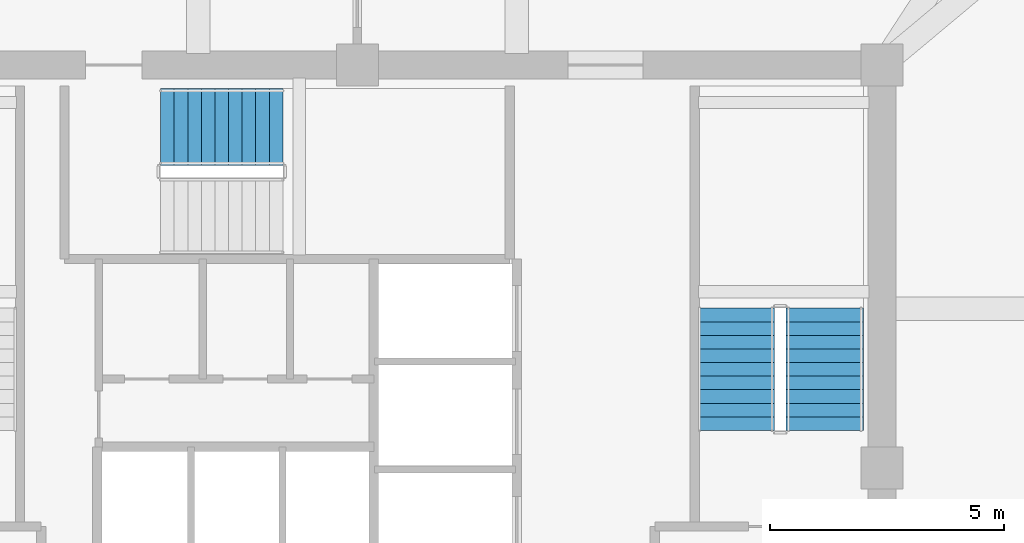
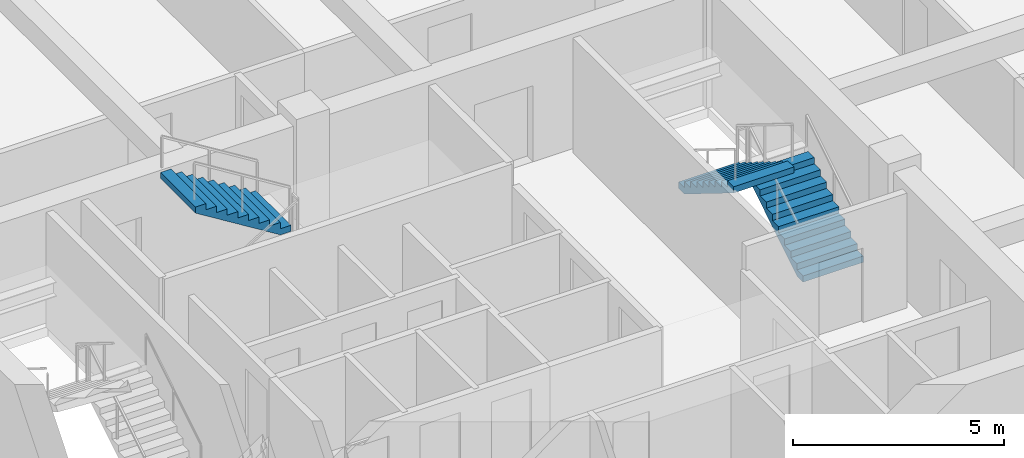
# One storey, part 11 of 13: 3 stair flights, 2 elements without a shape of their own.
"""IFC4 building model written with IfcOpenShell, lengths in metres."""

import ifcopenshell
import ifcopenshell.guid

model = None  # the IFC model being written
_history = None  # IfcOwnerHistory: only IFC2X3 demands one
_inside = {}  # id of a spatial element -> (the spatial element, [elements in it])
_under = {}  # id of a project, library or spatial element -> (it, [spatial elements below it])
_declared = {}  # id of a project -> (the project, [libraries it declares])
_typed = {}  # id of a type object -> (the type object, [elements of that type])
_made_of = {}  # id of a material, layer set ... -> (it, [elements and type objects made of it])


def new_model(schema):
    """Start an empty IFC model of exactly this schema.

    Asked for "IFC4X3", IfcOpenShell would pick the latest addendum, in which some entities
    have other attributes; the version numbers below select the first issue.
    IFC2X3 requires an IfcOwnerHistory on every rooted entity: one is made here for all.
    """
    global model, _history
    if schema == "IFC4X3":
        model = ifcopenshell.file(schema_version=(4, 3, 0, 0))
    else:
        model = ifcopenshell.file(schema=schema)
    _inside.clear()
    _under.clear()
    _declared.clear()
    _typed.clear()
    _made_of.clear()
    _history = None
    if model.schema == "IFC2X3":
        org = make("IfcOrganization", Name="unknown")
        user = make(
            "IfcPersonAndOrganization",
            ThePerson=make("IfcPerson", FamilyName="unknown"),
            TheOrganization=org,
        )
        app = make(
            "IfcApplication",
            ApplicationDeveloper=org,
            Version="unknown",
            ApplicationFullName="unknown",
            ApplicationIdentifier="unknown",
        )
        _history = make(
            "IfcOwnerHistory",
            OwningUser=user,
            OwningApplication=app,
            ChangeAction="ADDED",
            CreationDate=0,
        )
    return model


def make(cls, **values):
    """One entity of the class cls with the attributes given. An attribute that is None is left unset."""
    return model.create_entity(
        cls, **{name: value for name, value in values.items() if value is not None}
    )


def rooted(cls, **values):
    """An entity with a GlobalId (a new one), such as an element, a storey or a relation."""
    return make(cls, GlobalId=ifcopenshell.guid.new(), OwnerHistory=_history, **values)


def si_unit(unit_type, name, prefix=None):
    """IfcSIUnit, for example si_unit("LENGTHUNIT", "METRE", prefix="MILLI")."""
    return make("IfcSIUnit", UnitType=unit_type, Prefix=prefix, Name=name)


def derived_unit(unit_type, elements):
    """IfcDerivedUnit: a product of units, each with its exponent."""
    return make(
        "IfcDerivedUnit",
        Elements=[
            make("IfcDerivedUnitElement", Unit=unit, Exponent=power)
            for unit, power in elements
        ],
        UnitType=unit_type,
    )


def assignment(units):
    """IfcUnitAssignment: the units of a project."""
    return None if units is None else make("IfcUnitAssignment", Units=units)


def point(xyz):
    """IfcCartesianPoint."""
    return None if xyz is None else make("IfcCartesianPoint", Coordinates=xyz)


def direction(xyz):
    """IfcDirection."""
    return None if xyz is None else make("IfcDirection", DirectionRatios=xyz)


def frame(location, z_axis=None, x_axis=None):
    """IfcAxis2Placement3D, a coordinate frame: its origin and axes. An axis left out is left unset."""
    return make(
        "IfcAxis2Placement3D",
        Location=point(location),
        Axis=direction(z_axis),
        RefDirection=direction(x_axis),
    )


def origin():
    """The frame at (0, 0, 0) with its axes left unset."""
    return frame((0.0, 0.0, 0.0))


def place(relative_to, where):
    """IfcLocalPlacement: puts the frame where relative to a parent placement (None: the world)."""
    return make(
        "IfcLocalPlacement", PlacementRelTo=relative_to, RelativePlacement=where
    )


def context(
    kind, dimensions, precision=None, world=None, true_north=None, identifier=None
):
    """IfcGeometricRepresentationContext, for example the 3D "Model" context."""
    return make(
        "IfcGeometricRepresentationContext",
        ContextIdentifier=identifier,
        ContextType=kind,
        CoordinateSpaceDimension=dimensions,
        Precision=precision,
        WorldCoordinateSystem=world,
        TrueNorth=true_north,
    )


def subcontext(parent, identifier, kind, view, scale=None):
    """IfcGeometricRepresentationSubContext, for example "Body" below "Model"."""
    return make(
        "IfcGeometricRepresentationSubContext",
        ContextIdentifier=identifier,
        ContextType=kind,
        ParentContext=parent,
        TargetScale=scale,
        TargetView=view,
    )


def project(units=None, contexts=None):
    """IfcProject with its units and contexts."""
    return rooted(
        "IfcProject",
        Name="project",
        RepresentationContexts=contexts,
        UnitsInContext=assignment(units),
    )


def spatial(cls, under=None, at=None, **own):
    """A site, building, storey or space (cls), placed at a placement, below another one or the project."""
    s = rooted(cls, ObjectPlacement=at, **own)
    if under is not None:
        _under.setdefault(under.id(), (under, []))[1].append(s)
    return s


def polyline(points):
    """IfcPolyline through the points."""
    return make("IfcPolyline", Points=[point(p) for p in points])


def outline(outer, holes=None, kind="AREA"):
    """IfcArbitraryClosedProfileDef: a profile drawn as a closed curve; with holes, ...WithVoids."""
    if holes is None:
        return make("IfcArbitraryClosedProfileDef", ProfileType=kind, OuterCurve=outer)
    return make(
        "IfcArbitraryProfileDefWithVoids",
        ProfileType=kind,
        OuterCurve=outer,
        InnerCurves=holes,
    )


def extrude(swept, where, along, depth):
    """IfcExtrudedAreaSolid: the profile swept, set in the frame where, extruded along a direction by depth."""
    return make(
        "IfcExtrudedAreaSolid",
        SweptArea=swept,
        Position=where,
        ExtrudedDirection=direction(along),
        Depth=depth,
    )


def shape(context_of_items, identifier, shape_type, items):
    """IfcShapeRepresentation: the items that make up one representation, for example the "Body"."""
    return make(
        "IfcShapeRepresentation",
        ContextOfItems=context_of_items,
        RepresentationIdentifier=identifier,
        RepresentationType=shape_type,
        Items=items,
    )


def material(Name=None, Category=None):
    """IfcMaterial."""
    return make("IfcMaterial", Name=Name, Category=Category)


def made_of(thing, what):
    """Note that an element or type object is made of a material, layer set ...; save() writes the relation."""
    if what is not None:
        _made_of.setdefault(what.id(), (what, []))[1].append(thing)
    return thing


def type_object(cls, material=None, **own):
    """A type object (cls), such as IfcWallType, which elements share."""
    return made_of(rooted(cls, **own), material)


def element(
    cls,
    number,
    at=None,
    inside=None,
    cuts=None,
    type_object=None,
    material=None,
    context=None,
    identifier="Body",
    shape_type=None,
    held_by="IfcProductDefinitionShape",
    body=None,
    shapes=None,
    **own,
):
    """One element of the class cls, such as IfcWall. Its Tag is "e" and its number.

    at: its placement. inside: the storey or other place that contains it. cuts: it is an
    opening in that element (IfcRelVoidsElement). A single representation is given by context,
    identifier, shape_type and body (its items); several are given by shapes. held_by: the class
    of the entity that holds the representations. save() writes the other relations.
    """
    e = rooted(cls, Tag="e%d" % number, ObjectPlacement=at, **own)
    if body is not None:
        shapes = [shape(context, identifier, shape_type, body)]
    if shapes is not None:
        e.Representation = make(held_by, Representations=shapes)
    if inside is not None:
        _inside.setdefault(inside.id(), (inside, []))[1].append(e)
    if cuts is not None:
        rooted(
            "IfcRelVoidsElement", RelatingBuildingElement=cuts, RelatedOpeningElement=e
        )
    if type_object is not None:
        _typed.setdefault(type_object.id(), (type_object, []))[1].append(e)
    return made_of(e, material)


def aggregate(whole, parts):
    """IfcRelAggregates: a whole, such as a stair, and the parts it consists of."""
    return rooted("IfcRelAggregates", RelatingObject=whole, RelatedObjects=parts)


def save(model, path):
    """Write the relations noted so far, then the file.

    IfcRelAggregates (storeys below a building ...), IfcRelContainedInSpatialStructure (elements
    in a storey), IfcRelDefinesByType, IfcRelAssociatesMaterial and IfcRelDeclares: one each for
    every whole, place, type object, material and project.
    """
    for whole, parts in _under.values():
        aggregate(whole, parts)
    for where, things in _inside.values():
        rooted(
            "IfcRelContainedInSpatialStructure",
            RelatedElements=things,
            RelatingStructure=where,
        )
    for kind, things in _typed.values():
        rooted("IfcRelDefinesByType", RelatedObjects=things, RelatingType=kind)
    for what, things in _made_of.values():
        rooted("IfcRelAssociatesMaterial", RelatedObjects=things, RelatingMaterial=what)
    for by, libraries in _declared.values():
        rooted("IfcRelDeclares", RelatingContext=by, RelatedDefinitions=libraries)
    model.write(path)


model = new_model("IFC4")

# Units and contexts
model_context = context("Model", 3, precision=1e-05, world=origin(), true_north=direction((0.0, 1.0)))
body_context = subcontext(model_context, "Body", "Model", "MODEL_VIEW")
ifc_project = project(units=[si_unit("LENGTHUNIT", "METRE"), si_unit("AREAUNIT", "SQUARE_METRE"), si_unit("VOLUMEUNIT", "CUBIC_METRE"), si_unit("PLANEANGLEUNIT", "RADIAN"), si_unit("MASSUNIT", "GRAM", prefix="KILO"), derived_unit("THERMALTRANSMITTANCEUNIT", [(si_unit("POWERUNIT", "WATT"), 1), (si_unit("LENGTHUNIT", "METRE"), -2), (si_unit("THERMODYNAMICTEMPERATUREUNIT", "KELVIN"), -1)])], contexts=[model_context])

# Site, building, storey
site_placement = place(None, origin())
site = spatial("IfcSite", under=ifc_project, at=site_placement, CompositionType="ELEMENT")
building_placement = place(site_placement, origin())
building = spatial("IfcBuilding", under=site, at=building_placement, Name="Koralith Skygarden Medical Center", CompositionType="ELEMENT")
storey_placement = place(building_placement, frame((0.0, 0.0, 217.97998046875)))
storey = spatial("IfcBuildingStorey", under=building, at=storey_placement, Name="L56", CompositionType="ELEMENT", Elevation=217.97998046875)

# Stair, stair flights
ifc_material = material(Name="Concrete C45/55", Category="concrete")
stair_type = type_object("IfcStairType", Name="Core Exit Dogleg Concrete Stair", PredefinedType="HALF_TURN_STAIR", material=ifc_material)
stair_1_placement = place(storey_placement, origin())
stair_1 = element("IfcStair", 1, at=stair_1_placement, inside=storey, type_object=stair_type, Name="L56 Smokeproof Exit Stair ST2", PredefinedType="HALF_TURN_STAIR")
stair_flight_type = type_object("IfcStairFlightType", Name="Core Exit Concrete Stair Flight 1650", PredefinedType="STRAIGHT", material=ifc_material)
stair_flight_1_placement = place(storey_placement, frame((46.97509765625, 26.699951171875, 0.0), z_axis=(0.0, 0.0, 1.0), x_axis=(0.0, 1.0, 0.0)))
stair_flight_1 = element("IfcStairFlight", 2, at=stair_flight_1_placement, type_object=stair_flight_type, Name="ST2 flight 1", NumberOfRisers=10, NumberOfTreads=9, PredefinedType="STRAIGHT", RiserHeight=0.18, TreadLength=0.29, context=body_context, shape_type="SweptSolid", body=[
    extrude(outline(polyline([(0.0, 0.0), (0.0, 0.179931640625), (0.2900390625, 0.179931640625), (0.2900390625, 0.360107421875), (0.580078125, 0.360107421875), (0.580078125, 0.5400390625), (0.8701171875, 0.5400390625), (0.8701171875, 0.719970703125), (1.159912109375, 0.719970703125), (1.159912109375, 0.89990234375), (1.449951171875, 0.89990234375), (1.449951171875, 1.080078125), (1.739990234375, 1.080078125), (1.739990234375, 1.260009765625), (2.030029296875, 1.260009765625), (2.030029296875, 1.43994140625), (2.320068359375, 1.43994140625), (2.320068359375, 1.6201171875), (2.610107421875, 1.6201171875), (2.610107421875, 1.800048828125), (2.610107421875, 1.443603515625), (0.2841796875, 0.0), (0.0, 0.0)])), frame((0.0, 0.824951171875, 0.0), z_axis=(0.0, -1.0, 0.0), x_axis=(1.0, 0.0, 0.0)), (0.0, 0.0, 1.0), 1.64990234375),
])
stair_flight_2_placement = place(storey_placement, frame((45.074951171875, 29.31005859375, 1.800048828125), z_axis=(0.0, 0.0, 1.0), x_axis=(0.0, -1.0, 0.0)))
stair_flight_2 = element("IfcStairFlight", 3, at=stair_flight_2_placement, type_object=stair_flight_type, Name="ST2 flight 2", NumberOfRisers=10, NumberOfTreads=9, PredefinedType="STRAIGHT", RiserHeight=0.18, TreadLength=0.29, context=body_context, shape_type="SweptSolid", body=[
    extrude(outline(polyline([(0.0, 0.0), (0.0, 0.179931640625), (0.2900390625, 0.179931640625), (0.2900390625, 0.360107421875), (0.580078125, 0.360107421875), (0.580078125, 0.5400390625), (0.8701171875, 0.5400390625), (0.8701171875, 0.719970703125), (1.159912109375, 0.719970703125), (1.159912109375, 0.89990234375), (1.449951171875, 0.89990234375), (1.449951171875, 1.080078125), (1.739990234375, 1.080078125), (1.739990234375, 1.260009765625), (2.030029296875, 1.260009765625), (2.030029296875, 1.43994140625), (2.320068359375, 1.43994140625), (2.320068359375, 1.6201171875), (2.610107421875, 1.6201171875), (2.610107421875, 1.800048828125), (2.610107421875, 1.443603515625), (0.2841796875, 0.0), (0.0, 0.0)])), frame((0.0, 0.824951171875, 0.0), z_axis=(0.0, -1.0, 0.0), x_axis=(1.0, 0.0, 0.0)), (0.0, 0.0, 1.0), 1.64990234375),
])
aggregate(stair_1, [stair_flight_1, stair_flight_2])

# Stair, stair flight
stair_2_placement = place(storey_placement, origin())
stair_2 = element("IfcStair", 4, at=stair_2_placement, inside=storey, type_object=stair_type, Name="L56 Smokeproof Exit Stair ST3", PredefinedType="HALF_TURN_STAIR")
stair_flight_3_placement = place(storey_placement, frame((35.409912109375, 33.175048828125, 1.800048828125), z_axis=(0.0, 0.0, 1.0), x_axis=(-1.0, 0.0, 0.0)))
stair_flight_3 = element("IfcStairFlight", 5, at=stair_flight_3_placement, type_object=stair_flight_type, Name="ST3 flight 2", NumberOfRisers=10, NumberOfTreads=9, PredefinedType="STRAIGHT", RiserHeight=0.18, TreadLength=0.29, context=body_context, shape_type="SweptSolid", body=[
    extrude(outline(polyline([(0.0, 0.0), (0.0, 0.179931640625), (0.2900390625, 0.179931640625), (0.2900390625, 0.360107421875), (0.580078125, 0.360107421875), (0.580078125, 0.5400390625), (0.8701171875, 0.5400390625), (0.8701171875, 0.719970703125), (1.159912109375, 0.719970703125), (1.159912109375, 0.89990234375), (1.449951171875, 0.89990234375), (1.449951171875, 1.080078125), (1.739990234375, 1.080078125), (1.739990234375, 1.260009765625), (2.030029296875, 1.260009765625), (2.030029296875, 1.43994140625), (2.320068359375, 1.43994140625), (2.320068359375, 1.6201171875), (2.610107421875, 1.6201171875), (2.610107421875, 1.800048828125), (2.610107421875, 1.443603515625), (0.2841796875, 0.0), (0.0, 0.0)])), frame((0.0, 0.824951171875, 0.0), z_axis=(0.0, -1.0, 0.0), x_axis=(1.0, 0.0, 0.0)), (0.0, 0.0, 1.0), 1.64990234375),
])
aggregate(stair_2, [stair_flight_3])

save(model, "model.ifc")
